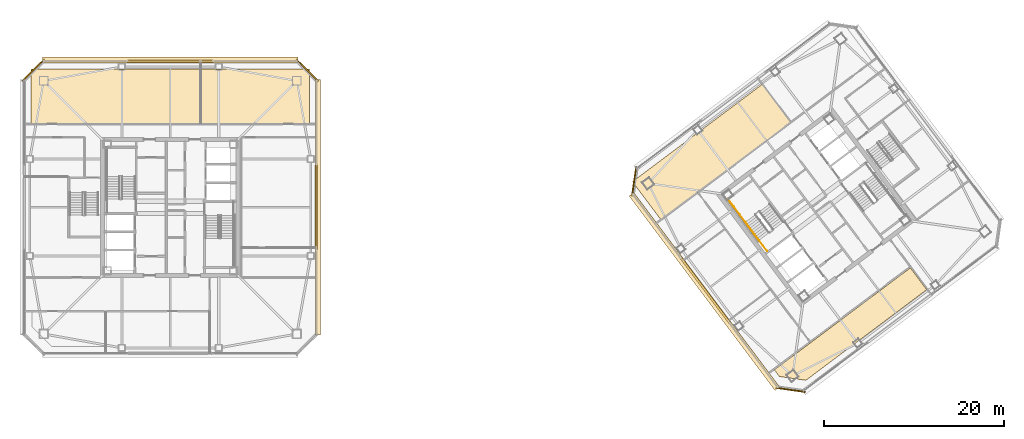
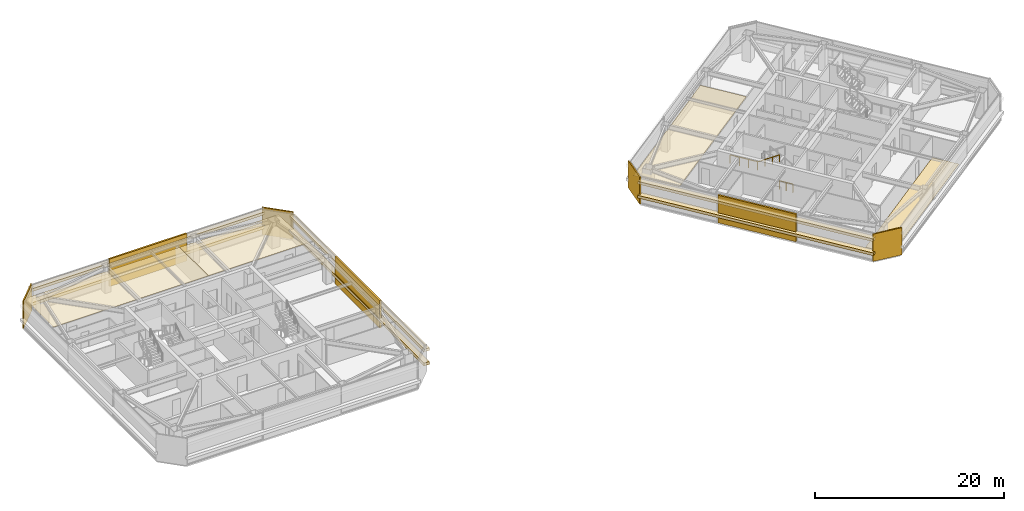
# One storey, part 36 of 39: 17 coverings, 3 railings.
"""IFC4 building model written with IfcOpenShell, lengths in metres."""

from ifc_helpers import new_model, si_unit, direction, frame, origin, origin_2d, place, context, subcontext, project, spatial, polyline, rectangle, outline, extrude, material, layer, layer_set, type_object, element, save


model = new_model("IFC4")

# Units and contexts
model_context = context("Model", 3, precision=1e-05, world=origin(), true_north=direction((0.0, 1.0)))
body_context = subcontext(model_context, "Body", "Model", "MODEL_VIEW")
ifc_project = project(units=[si_unit("LENGTHUNIT", "METRE"), si_unit("AREAUNIT", "SQUARE_METRE"), si_unit("VOLUMEUNIT", "CUBIC_METRE"), si_unit("PLANEANGLEUNIT", "RADIAN"), si_unit("MASSUNIT", "GRAM", prefix="KILO")], contexts=[model_context])

# Site, building, storey
site_placement = place(None, origin())
site = spatial("IfcSite", under=ifc_project, at=site_placement, CompositionType="ELEMENT")
building_placement = place(site_placement, origin())
building = spatial("IfcBuilding", under=site, at=building_placement, Name="Tashvorn Skyway Center", CompositionType="ELEMENT")
storey_placement = place(building_placement, frame((0.0, 0.0, 207.75)))
storey = spatial("IfcBuildingStorey", under=building, at=storey_placement, Name="L56", CompositionType="ELEMENT", Elevation=207.75)

# Coverings
ifc_material_1 = material(Name="Precast concrete C40/50", Category="concrete")
ifc_layer_1 = layer(ifc_material_1, 0.199951171875)
ifc_layer_set_1 = layer_set([ifc_layer_1], Name="Precast concrete C40/50")
covering_type_1 = type_object("IfcCoveringType", Name="COV-BRACE-CLAD", PredefinedType="CLADDING", material=ifc_layer_set_1)
for number, where, z_axis, x_axis, name in (
    (1, (42.0, 48.280029296875, 0.0), (0.0, 0.0, 1.0), (1.0, 0.0, 0.0), "Tower 1 L56 North Unitised Curtain Wall Mega-Brace Cladding Band 1"),
    (2, (58.280029296875, 32.0, 0.0), (0.0, 0.0, 1.0), (0.0, -1.0, 0.0), "Tower 1 L56 East Unitised Curtain Wall Mega-Brace Cladding Band 1"),
):
    element("IfcCovering", number, at=place(storey_placement, frame(where, z_axis=z_axis, x_axis=x_axis)), inside=storey, type_object=covering_type_1, Name=name, PredefinedType="CLADDING", context=body_context, shape_type="SweptSolid", body=[
        extrude(rectangle(XDim=9.453369140625, YDim=0.199951171875, at=origin_2d()), origin(), (0.0, 0.0, 1.0), 3.550048828125),
    ])
covering_1_placement = place(storey_placement, frame((101.615966796875, 22.7119140625, 0.0), z_axis=(0.0, 0.0, 1.0), x_axis=(-0.600000004945, 0.799999996291, 0.0)))
element("IfcCovering", 3, at=covering_1_placement, inside=storey, type_object=covering_type_1, Name="Tower 2 L56 West Unitised Curtain Wall Mega-Brace Cladding Band 1", PredefinedType="CLADDING", context=body_context, shape_type="SweptSolid", body=[
    extrude(rectangle(XDim=8.98681640625, YDim=0.199951171875, at=origin_2d()), origin(), (0.0, 0.0, 1.0), 3.550048828125),
])
ifc_material_2 = material(Name="Mineral-fibre acoustic ceiling tile on suspended grid")
ifc_layer_2 = layer(ifc_material_2, 0.02001953125)
ifc_layer_set_2 = layer_set([ifc_layer_2], Name="Mineral-fibre acoustic ceiling tile on suspended grid")
covering_type_2 = type_object("IfcCoveringType", Name="COV-CEIL-20", PredefinedType="CEILING", material=ifc_layer_set_2)
covering_2_placement = place(storey_placement, frame((0.0, 0.0, 2.702880859375)))
element("IfcCovering", 4, at=covering_2_placement, inside=storey, type_object=covering_type_2, Name="Tower 1 L56 Wellness Clinic Acoustic Ceiling", PredefinedType="CEILING", context=body_context, shape_type="SweptSolid", body=[
    extrude(outline(polyline([(26.5, 41.300048828125), (45.39990234375, 41.300048828125), (45.39990234375, 47.39990234375), (26.5, 47.39990234375), (26.5, 41.300048828125)])), origin(), (0.0, 0.0, 1.0), 0.02001953125),
])
covering_3_placement = place(storey_placement, frame((0.0, 0.0, 2.702880859375)))
element("IfcCovering", 5, at=covering_3_placement, inside=storey, type_object=covering_type_2, Name="Tower 1 L56 Wellness Clinic Acoustic Ceiling", PredefinedType="CEILING", context=body_context, shape_type="SweptSolid", body=[
    extrude(outline(polyline([(45.39990234375, 41.300048828125), (57.5, 41.300048828125), (57.5, 47.39990234375), (45.39990234375, 47.39990234375), (45.39990234375, 41.300048828125)])), origin(), (0.0, 0.0, 1.0), 0.02001953125),
])
covering_4_placement = place(storey_placement, frame((0.0, 0.0, 2.702880859375)))
element("IfcCovering", 6, at=covering_4_placement, inside=storey, type_object=covering_type_2, Name="Tower 2 L56 Wellness Clinic Acoustic Ceiling", PredefinedType="CEILING", context=body_context, shape_type="SweptSolid", body=[
    extrude(outline(polyline([(96.659912109375, 30.6201171875), (111.139892578125, 41.47998046875), (107.9599609375, 45.719970703125), (93.47998046875, 34.860107421875), (96.659912109375, 30.6201171875)])), origin(), (0.0, 0.0, 1.0), 0.02001953125),
])
ifc_material_3 = material(Name="Polished Mojave desert-aggregate terrazzo and cover plate")
ifc_layer_3 = layer(ifc_material_3, 0.0400390625)
ifc_layer_set_3 = layer_set([ifc_layer_3], Name="Polished Mojave desert-aggregate terrazzo and cover plate")
covering_type_3 = type_object("IfcCoveringType", Name="COV-FLR-40", PredefinedType="FLOORING", material=ifc_layer_set_3)
covering_5_placement = place(storey_placement, origin())
element("IfcCovering", 7, at=covering_5_placement, inside=storey, type_object=covering_type_3, Name="Tower 2 L56 Wellness Clinic Finish Flooring", PredefinedType="FLOORING", context=body_context, shape_type="SweptSolid", body=[
    extrude(outline(polyline([(112.820068359375, 12.739990234375), (109.85205078125, 13.1640625), (109.2939453125, 13.907958984375), (124.446044921875, 25.27197265625), (126.27587890625, 22.83203125), (112.820068359375, 12.739990234375)])), origin(), (0.0, 0.0, 1.0), 0.0400390625),
])
ifc_material_4 = material(Name="Perforated ceramic-coated bronze aluminium solar screen", Category="aluminium")
ifc_layer_4 = layer(ifc_material_4, 0.85009765625)
ifc_layer_set_4 = layer_set([ifc_layer_4], Name="Perforated ceramic-coated bronze aluminium solar screen")
covering_type_4 = type_object("IfcCoveringType", Name="COV-SOLAR-BAND", PredefinedType="CLADDING", material=ifc_layer_set_4)
for number, where, z_axis, x_axis, name in (
    (8, (42.0, 48.419921875, 0.919921875), (0.0, 0.0, 1.0), (1.0, 0.0, 0.0), "L56 Perforated Ceramic-Metal Solar Screen Louvre Band North 1"),
    (9, (42.0, 48.419921875, 2.7197265625), (0.0, 0.0, 1.0), (1.0, 0.0, 0.0), "L56 Perforated Ceramic-Metal Solar Screen Louvre Band North 2"),
    (10, (58.419921875, 32.0, 0.919921875), (0.0, 0.0, 1.0), (0.0, -1.0, 0.0), "L56 Perforated Ceramic-Metal Solar Screen Louvre Band East 1"),
    (11, (58.419921875, 32.0, 2.7197265625), (0.0, 0.0, 1.0), (0.0, -1.0, 0.0), "L56 Perforated Ceramic-Metal Solar Screen Louvre Band East 2"),
):
    element("IfcCovering", number, at=place(storey_placement, frame(where, z_axis=z_axis, x_axis=x_axis)), inside=storey, type_object=covering_type_4, Name=name, PredefinedType="CLADDING", context=body_context, shape_type="SweptSolid", body=[
        extrude(rectangle(XDim=28.47998046875, YDim=0.639892578125, at=origin_2d()), origin(), (0.0, 0.0, 1.0), 0.360107421875),
    ])
for number, where, z_axis, x_axis, name in (
    (12, (101.50390625, 22.6279296875, 0.919921875), (0.0, 0.0, 1.0), (-0.600000004945, 0.799999996291, 0.0), "L56 Perforated Ceramic-Metal Solar Screen Louvre Band West 1"),
    (13, (101.50390625, 22.6279296875, 2.7197265625), (0.0, 0.0, 1.0), (-0.600000004945, 0.799999996291, 0.0), "L56 Perforated Ceramic-Metal Solar Screen Louvre Band West 2"),
):
    element("IfcCovering", number, at=place(storey_placement, frame(where, z_axis=z_axis, x_axis=x_axis)), inside=storey, type_object=covering_type_4, Name=name, PredefinedType="CLADDING", context=body_context, shape_type="SweptSolid", body=[
        extrude(rectangle(XDim=27.080078125, YDim=0.639892578125, at=origin_2d()), origin(), (0.0, 0.0, 1.0), 0.360107421875),
    ])
ifc_layer_5 = layer(ifc_material_1, 0.35009765625)
ifc_layer_set_5 = layer_set([ifc_layer_5], Name="Precast concrete C40/50")
covering_type_5 = type_object("IfcCoveringType", Name="COV-STONE-TRIM", PredefinedType="CLADDING", material=ifc_layer_set_5)
for number, where, z_axis, x_axis, name in (
    (14, (26.72998046875, 47.27001953125, 0.02001953125), (0.0, 0.0, 1.0), (-0.707106781187, -0.707106781187, 0.0), "Tower 1 L56 NW Mojave Limestone Corner Quoin"),
    (15, (57.27001953125, 47.27001953125, 0.02001953125), (0.0, 0.0, 1.0), (0.707106781187, -0.707106781187, 0.0), "Tower 1 L56 NE Mojave Limestone Corner Quoin"),
):
    element("IfcCovering", number, at=place(storey_placement, frame(where, z_axis=z_axis, x_axis=x_axis)), inside=storey, type_object=covering_type_5, Name=name, PredefinedType="CLADDING", context=body_context, shape_type="SweptSolid", body=[
        extrude(rectangle(XDim=3.41259765625, YDim=0.139892578125, at=origin_2d()), origin(), (0.0, 0.0, 1.0), 3.510009765625),
    ])
for number, where, z_axis, x_axis, name in (
    (16, (111.095947265625, 11.672119140625, 0.02001953125), (0.0, 0.0, 1.0), (-0.989949494535, 0.141421350118, 0.0), "Tower 2 L56 SW Mojave Limestone Corner Quoin"),
    (17, (93.672119140625, 34.904052734375, 0.02001953125), (0.0, 0.0, 1.0), (-0.141421350118, -0.989949494535, 0.0), "Tower 2 L56 NW Mojave Limestone Corner Quoin"),
):
    element("IfcCovering", number, at=place(storey_placement, frame(where, z_axis=z_axis, x_axis=x_axis)), inside=storey, type_object=covering_type_5, Name=name, PredefinedType="CLADDING", context=body_context, shape_type="SweptSolid", body=[
        extrude(rectangle(XDim=3.271240234375, YDim=0.139892578125, at=origin_2d()), origin(), (0.0, 0.0, 1.0), 3.510009765625),
    ])

# Railings
ifc_material_5 = material(Name="Brushed stainless steel 316", Category="steel")
railing_type_1 = type_object("IfcRailingType", Name="RAIL-HAND-920", PredefinedType="HANDRAIL", material=ifc_material_5)
railing_1_placement = place(storey_placement, frame((106.072021484375, 30.35400390625, 1.952392578125)))
element("IfcRailing", 18, at=railing_1_placement, inside=storey, type_object=railing_type_1, Name="L56 ST-T2-1 stair handrail 2", PredefinedType="HANDRAIL", context=body_context, shape_type="SweptSolid", body=[
    extrude(rectangle(XDim=0.048095703125, YDim=0.048095703125, at=origin_2d()), frame((0.0, 0.0, 0.8759765625), z_axis=(0.506718600913, -0.675679348675, 0.535437836974), x_axis=(0.800023250257, 0.599968998406, 0.0)), (0.0, 0.0, 1.0), 2.98388671875),
    extrude(rectangle(XDim=0.0419921875, YDim=0.0419921875, at=origin_2d()), origin(), (0.0, 0.0, 1.0), 0.851806640625),
    extrude(rectangle(XDim=0.0419921875, YDim=0.0419921875, at=origin_2d()), frame((0.50390625, -0.672119140625, 0.532470703125)), (0.0, 0.0, 1.0), 0.851806640625),
    extrude(rectangle(XDim=0.0419921875, YDim=0.0419921875, at=origin_2d()), frame((1.008056640625, -1.343994140625, 1.065185546875)), (0.0, 0.0, 1.0), 0.851806640625),
    extrude(rectangle(XDim=0.0419921875, YDim=0.0419921875, at=origin_2d()), frame((1.511962890625, -2.01611328125, 1.59765625)), (0.0, 0.0, 1.0), 0.851806640625),
])
ifc_material_6 = material(Name="Painted galvanized steel S355", Category="steel")
railing_type_2 = type_object("IfcRailingType", Name="RAIL-STGUARD-1100", PredefinedType="GUARDRAIL", material=ifc_material_6)
railing_2_placement = place(storey_placement, frame((106.072021484375, 30.35400390625, 1.77490234375)))
element("IfcRailing", 19, at=railing_2_placement, inside=storey, type_object=railing_type_2, Name="L56 ST-T2-1 stair guard 3", PredefinedType="GUARDRAIL", context=body_context, shape_type="SweptSolid", body=[
    extrude(rectangle(XDim=0.048095703125, YDim=0.048095703125, at=origin_2d()), frame((0.0, 0.0, 1.076171875), z_axis=(-0.599987638607, 0.800009270896, 0.0), x_axis=(-0.800009270896, -0.599987638607, 0.0)), (0.0, 0.0, 1.0), 3.16015625),
    extrude(rectangle(XDim=0.0419921875, YDim=0.0419921875, at=origin_2d()), origin(), (0.0, 0.0, 1.0), 1.052001953125),
    extrude(rectangle(XDim=0.0419921875, YDim=0.0419921875, at=origin_2d()), frame((-0.632080078125, 0.8427734375, 0.0)), (0.0, 0.0, 1.0), 1.052001953125),
    extrude(rectangle(XDim=0.0419921875, YDim=0.0419921875, at=origin_2d()), frame((-1.263916015625, 1.685302734375, 0.0)), (0.0, 0.0, 1.0), 1.052001953125),
    extrude(rectangle(XDim=0.0419921875, YDim=0.0419921875, at=origin_2d()), frame((-1.89599609375, 2.528076171875, 0.0)), (0.0, 0.0, 1.0), 1.052001953125),
])
railing_3_placement = place(storey_placement, frame((108.49609375, 27.1220703125, 0.0)))
element("IfcRailing", 20, at=railing_3_placement, inside=storey, type_object=railing_type_2, Name="L56 ST-T2-1 stair guard 6", PredefinedType="GUARDRAIL", context=body_context, shape_type="SweptSolid", body=[
    extrude(rectangle(XDim=0.048095703125, YDim=0.048095703125, at=origin_2d()), frame((0.0, 0.0, 1.076171875), z_axis=(-0.600102796382, 0.799922892393, 0.0), x_axis=(-0.799922892393, -0.600102796382, 0.0)), (0.0, 0.0, 1.0), 1.52001953125),
    extrude(rectangle(XDim=0.0419921875, YDim=0.0419921875, at=origin_2d()), origin(), (0.0, 0.0, 1.0), 1.052001953125),
    extrude(rectangle(XDim=0.0419921875, YDim=0.0419921875, at=origin_2d()), frame((-0.4560546875, 0.60791015625, 0.0)), (0.0, 0.0, 1.0), 1.052001953125),
    extrude(rectangle(XDim=0.0419921875, YDim=0.0419921875, at=origin_2d()), frame((-0.912109375, 1.2158203125, 0.0)), (0.0, 0.0, 1.0), 1.052001953125),
])

save(model, "model.ifc")
